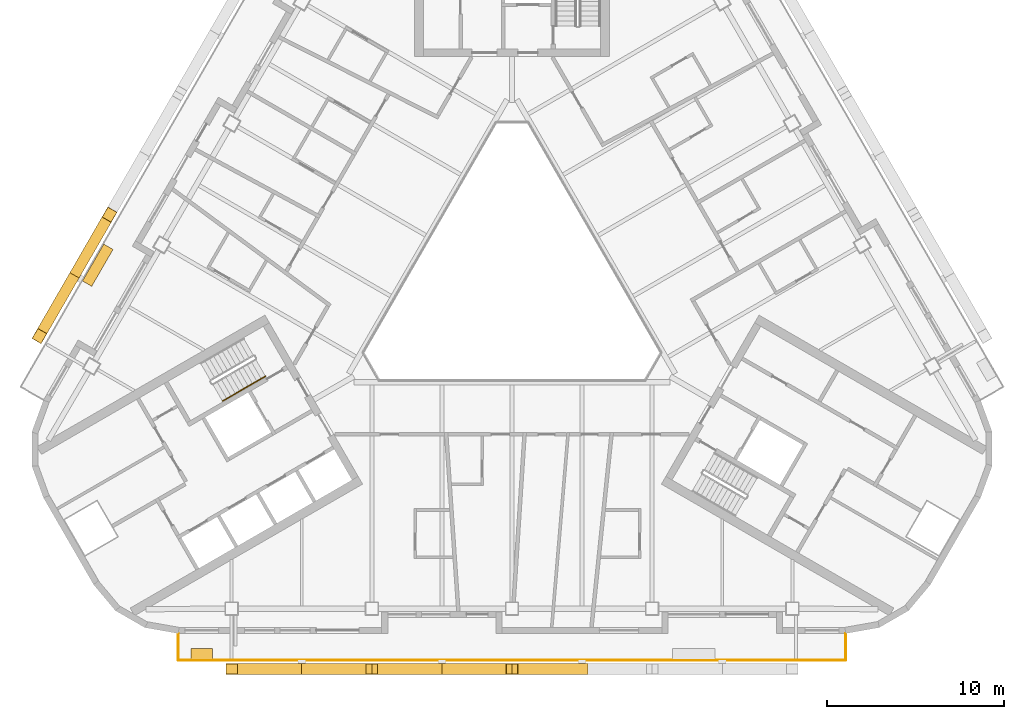
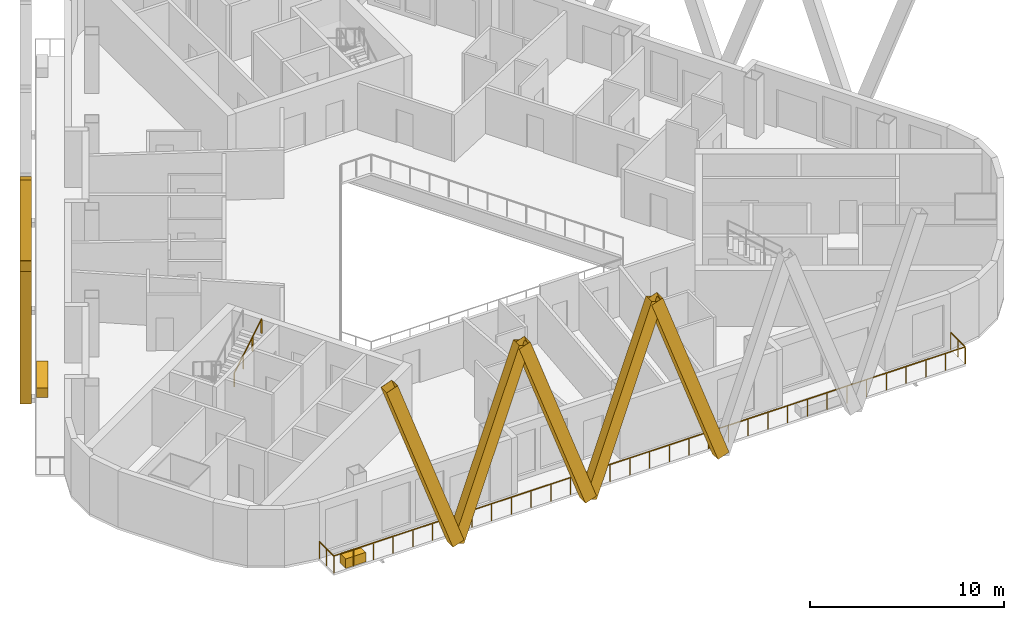
# One storey, part 9 of 14: 7 shading devices, 2 coverings, 2 railings.
"""IFC4 building model written with IfcOpenShell, lengths in metres."""

from ifc_helpers import new_model, si_unit, direction, frame, origin, origin_2d, place, context, subcontext, project, spatial, rectangle, hollow_rectangle, circle, extrude, material, material_profile, profile_set, type_object, element, save


model = new_model("IFC4")

# Units and contexts
model_context = context("Model", 3, precision=1e-05, world=origin(), true_north=direction((0.0, 1.0)))
body_context = subcontext(model_context, "Body", "Model", "MODEL_VIEW")
ifc_project = project(units=[si_unit("LENGTHUNIT", "METRE"), si_unit("AREAUNIT", "SQUARE_METRE"), si_unit("VOLUMEUNIT", "CUBIC_METRE"), si_unit("PLANEANGLEUNIT", "RADIAN"), si_unit("MASSUNIT", "GRAM", prefix="KILO")], contexts=[model_context])

# Site, building, storey
site_placement = place(None, origin())
site = spatial("IfcSite", under=ifc_project, at=site_placement, CompositionType="ELEMENT")
building_placement = place(site_placement, origin())
building = spatial("IfcBuilding", under=site, at=building_placement, Name="Apuvela Tower Hotel", CompositionType="ELEMENT")
storey_placement = place(building_placement, frame((0.0, 0.0, 202.10009765625)))
storey = spatial("IfcBuildingStorey", under=building, at=storey_placement, Name="L49", CompositionType="ELEMENT", Elevation=202.10009765625)

# Railing
ifc_material_1 = material(Name="Stainless steel 316 handrail", Category="steel")
railing_type_1 = type_object("IfcRailingType", Name="COR-HANDRAIL-900", PredefinedType="HANDRAIL", material=ifc_material_1)
railing_1_placement = place(storey_placement, frame((-16.31884765625, -6.534912109375, 2.01806640625)))
element("IfcRailing", 1, at=railing_1_placement, inside=storey, type_object=railing_type_1, Name="L49 ST2 stair handrail 2", PredefinedType="HANDRAIL", context=body_context, shape_type="SweptSolid", body=[
    extrude(circle(Radius=0.02392578125, at=origin_2d()), frame((0.0, 0.0, 0.8759765625), z_axis=(0.742390482028, 0.42860119049, 0.514934356695), x_axis=(-0.49998411664, 0.866034573852, 0.0)), (0.0, 0.0, 1.0), 3.26611328125),
    extrude(rectangle(XDim=0.0419921875, YDim=0.0419921875, at=origin_2d()), origin(), (0.0, 0.0, 1.0), 0.851806640625),
    extrude(rectangle(XDim=0.0419921875, YDim=0.0419921875, at=origin_2d()), frame((0.808349609375, 0.466552734375, 0.560546875)), (0.0, 0.0, 1.0), 0.851806640625),
    extrude(rectangle(XDim=0.0419921875, YDim=0.0419921875, at=origin_2d()), frame((1.616455078125, 0.933349609375, 1.121337890625)), (0.0, 0.0, 1.0), 0.851806640625),
    extrude(rectangle(XDim=0.0419921875, YDim=0.0419921875, at=origin_2d()), frame((2.4248046875, 1.39990234375, 1.681884765625)), (0.0, 0.0, 1.0), 0.851806640625),
])

# Shading devices
ifc_material_2 = material(Name="Aluminium 6063-T6, black anodised", Category="aluminium")
ifc_material_profile = material_profile(ifc_material_2, hollow_rectangle(XDim=0.60009765625, YDim=0.699951171875, WallThickness=0.011962890625, at=origin_2d()), Name="AL BOX 700x600x12")
ifc_profile_set = profile_set([ifc_material_profile], Name="Aluminium 6063-T6, black anodised")
shading_device_type = type_object("IfcShadingDeviceType", Name="ENV-FIN-700x600", PredefinedType="USERDEFINED", material=ifc_profile_set)
for number, where, z_axis, x_axis, name in (
    (2, (-11.85009765625, -21.6298828125, -0.10009765625), (-0.335254527156, 0.0, 0.942127593281), (0.0, -1.0, 0.0), "Lattice fin S441"),
    (3, (-11.85009765625, -21.6298828125, -0.10009765625), (0.335272919535, 0.0, 0.942121048181), (0.0, 1.0, 0.0), "Lattice fin S442"),
    (4, (-3.949951171875, -21.6298828125, -0.10009765625), (-0.335254527156, 0.0, 0.942127593281), (0.0, -1.0, 0.0), "Lattice fin S443"),
    (5, (-3.949951171875, -21.6298828125, -0.10009765625), (0.335254527156, 0.0, 0.942127593281), (0.0, 1.0, 0.0), "Lattice fin S444"),
    (6, (3.949951171875, -21.6298828125, -0.10009765625), (-0.335254527156, 0.0, 0.942127593281), (0.0, -1.0, 0.0), "Lattice fin S445"),
    (7, (-24.656982421875, 0.552490234375, -0.10009765625), (0.167616614035, 0.290350351818, 0.942125970292), (-0.866047669374, 0.499961432884, 0.0), "Lattice fin NW511"),
    (8, (-24.656982421875, 0.552490234375, -0.10009765625), (-0.167637761855, -0.290330368522, 0.942128365943), (0.866005453737, -0.500034552904, 0.0), "Lattice fin NW512"),
):
    element("IfcShadingDevice", number, at=place(storey_placement, frame(where, z_axis=z_axis, x_axis=x_axis)), inside=storey, type_object=shading_device_type, Name=name, ObjectType="FIN", PredefinedType="USERDEFINED", context=body_context, shape_type="SweptSolid", body=[
        extrude(hollow_rectangle(XDim=0.60009765625, YDim=0.699951171875, WallThickness=0.011962890625, at=origin_2d()), origin(), (0.0, 0.0, 1.0), 11.781982421875),
    ])

# Railing
ifc_material_3 = material(Name="Stainless steel 316 rail with laminated glass infill", Category="steel")
railing_type_2 = type_object("IfcRailingType", Name="ENV-GUARD-1100", PredefinedType="GUARDRAIL", material=ifc_material_3)
railing_2_placement = place(storey_placement, frame((-18.81591796875, -19.6298828125, 0.0)))
element("IfcRailing", 9, at=railing_2_placement, inside=storey, type_object=railing_type_2, Name="Balcony guard S L49", PredefinedType="GUARDRAIL", context=body_context, shape_type="SweptSolid", body=[
    extrude(rectangle(XDim=0.050048828125, YDim=0.050048828125, at=origin_2d()), frame((0.0, 0.0, 1.0751953125), z_axis=(0.0, -1.0, 0.0), x_axis=(1.0, 0.0, 0.0)), (0.0, 0.0, 1.0), 1.5),
    extrude(rectangle(XDim=0.050048828125, YDim=0.050048828125, at=origin_2d()), frame((0.0, -1.5, 1.0751953125), z_axis=(1.0, 0.0, 0.0), x_axis=(0.0, 1.0, 0.0)), (0.0, 0.0, 1.0), 37.6318359375),
    extrude(rectangle(XDim=0.050048828125, YDim=0.050048828125, at=origin_2d()), frame((37.6318359375, -1.5, 1.0751953125), z_axis=(0.0, 1.0, 0.0), x_axis=(-1.0, 0.0, 0.0)), (0.0, 0.0, 1.0), 1.5),
    extrude(rectangle(XDim=0.0400390625, YDim=0.0400390625, at=origin_2d()), origin(), (0.0, 0.0, 1.0), 1.050048828125),
    extrude(rectangle(XDim=0.0400390625, YDim=0.0400390625, at=origin_2d()), frame((0.0, -0.75, 0.0)), (0.0, 0.0, 1.0), 1.050048828125),
    extrude(rectangle(XDim=0.0400390625, YDim=0.0400390625, at=origin_2d()), frame((0.0, -1.5, 0.0)), (0.0, 0.0, 1.0), 1.050048828125),
    extrude(rectangle(XDim=0.0400390625, YDim=0.0400390625, at=origin_2d()), frame((1.176025390625, -1.5, 0.0)), (0.0, 0.0, 1.0), 1.050048828125),
    extrude(rectangle(XDim=0.0400390625, YDim=0.0400390625, at=origin_2d()), frame((2.35205078125, -1.5, 0.0)), (0.0, 0.0, 1.0), 1.050048828125),
    extrude(rectangle(XDim=0.0400390625, YDim=0.0400390625, at=origin_2d()), frame((3.528076171875, -1.5, 0.0)), (0.0, 0.0, 1.0), 1.050048828125),
    extrude(rectangle(XDim=0.0400390625, YDim=0.0400390625, at=origin_2d()), frame((4.7041015625, -1.5, 0.0)), (0.0, 0.0, 1.0), 1.050048828125),
    extrude(rectangle(XDim=0.0400390625, YDim=0.0400390625, at=origin_2d()), frame((5.8798828125, -1.5, 0.0)), (0.0, 0.0, 1.0), 1.050048828125),
    extrude(rectangle(XDim=0.0400390625, YDim=0.0400390625, at=origin_2d()), frame((7.055908203125, -1.5, 0.0)), (0.0, 0.0, 1.0), 1.050048828125),
    extrude(rectangle(XDim=0.0400390625, YDim=0.0400390625, at=origin_2d()), frame((8.23193359375, -1.5, 0.0)), (0.0, 0.0, 1.0), 1.050048828125),
    extrude(rectangle(XDim=0.0400390625, YDim=0.0400390625, at=origin_2d()), frame((9.407958984375, -1.5, 0.0)), (0.0, 0.0, 1.0), 1.050048828125),
    extrude(rectangle(XDim=0.0400390625, YDim=0.0400390625, at=origin_2d()), frame((10.583984375, -1.5, 0.0)), (0.0, 0.0, 1.0), 1.050048828125),
    extrude(rectangle(XDim=0.0400390625, YDim=0.0400390625, at=origin_2d()), frame((11.760009765625, -1.5, 0.0)), (0.0, 0.0, 1.0), 1.050048828125),
    extrude(rectangle(XDim=0.0400390625, YDim=0.0400390625, at=origin_2d()), frame((12.93603515625, -1.5, 0.0)), (0.0, 0.0, 1.0), 1.050048828125),
    extrude(rectangle(XDim=0.0400390625, YDim=0.0400390625, at=origin_2d()), frame((14.11181640625, -1.5, 0.0)), (0.0, 0.0, 1.0), 1.050048828125),
    extrude(rectangle(XDim=0.0400390625, YDim=0.0400390625, at=origin_2d()), frame((15.287841796875, -1.5, 0.0)), (0.0, 0.0, 1.0), 1.050048828125),
    extrude(rectangle(XDim=0.0400390625, YDim=0.0400390625, at=origin_2d()), frame((16.4638671875, -1.5, 0.0)), (0.0, 0.0, 1.0), 1.050048828125),
    extrude(rectangle(XDim=0.0400390625, YDim=0.0400390625, at=origin_2d()), frame((17.639892578125, -1.5, 0.0)), (0.0, 0.0, 1.0), 1.050048828125),
    extrude(rectangle(XDim=0.0400390625, YDim=0.0400390625, at=origin_2d()), frame((18.81591796875, -1.5, 0.0)), (0.0, 0.0, 1.0), 1.050048828125),
    extrude(rectangle(XDim=0.0400390625, YDim=0.0400390625, at=origin_2d()), frame((19.991943359375, -1.5, 0.0)), (0.0, 0.0, 1.0), 1.050048828125),
    extrude(rectangle(XDim=0.0400390625, YDim=0.0400390625, at=origin_2d()), frame((21.16796875, -1.5, 0.0)), (0.0, 0.0, 1.0), 1.050048828125),
    extrude(rectangle(XDim=0.0400390625, YDim=0.0400390625, at=origin_2d()), frame((22.343994140625, -1.5, 0.0)), (0.0, 0.0, 1.0), 1.050048828125),
    extrude(rectangle(XDim=0.0400390625, YDim=0.0400390625, at=origin_2d()), frame((23.52001953125, -1.5, 0.0)), (0.0, 0.0, 1.0), 1.050048828125),
    extrude(rectangle(XDim=0.0400390625, YDim=0.0400390625, at=origin_2d()), frame((24.69580078125, -1.5, 0.0)), (0.0, 0.0, 1.0), 1.050048828125),
    extrude(rectangle(XDim=0.0400390625, YDim=0.0400390625, at=origin_2d()), frame((25.871826171875, -1.5, 0.0)), (0.0, 0.0, 1.0), 1.050048828125),
    extrude(rectangle(XDim=0.0400390625, YDim=0.0400390625, at=origin_2d()), frame((27.0478515625, -1.5, 0.0)), (0.0, 0.0, 1.0), 1.050048828125),
    extrude(rectangle(XDim=0.0400390625, YDim=0.0400390625, at=origin_2d()), frame((28.223876953125, -1.5, 0.0)), (0.0, 0.0, 1.0), 1.050048828125),
    extrude(rectangle(XDim=0.0400390625, YDim=0.0400390625, at=origin_2d()), frame((29.39990234375, -1.5, 0.0)), (0.0, 0.0, 1.0), 1.050048828125),
    extrude(rectangle(XDim=0.0400390625, YDim=0.0400390625, at=origin_2d()), frame((30.575927734375, -1.5, 0.0)), (0.0, 0.0, 1.0), 1.050048828125),
    extrude(rectangle(XDim=0.0400390625, YDim=0.0400390625, at=origin_2d()), frame((31.751953125, -1.5, 0.0)), (0.0, 0.0, 1.0), 1.050048828125),
    extrude(rectangle(XDim=0.0400390625, YDim=0.0400390625, at=origin_2d()), frame((32.927734375, -1.5, 0.0)), (0.0, 0.0, 1.0), 1.050048828125),
    extrude(rectangle(XDim=0.0400390625, YDim=0.0400390625, at=origin_2d()), frame((34.103759765625, -1.5, 0.0)), (0.0, 0.0, 1.0), 1.050048828125),
    extrude(rectangle(XDim=0.0400390625, YDim=0.0400390625, at=origin_2d()), frame((35.27978515625, -1.5, 0.0)), (0.0, 0.0, 1.0), 1.050048828125),
    extrude(rectangle(XDim=0.0400390625, YDim=0.0400390625, at=origin_2d()), frame((36.455810546875, -1.5, 0.0)), (0.0, 0.0, 1.0), 1.050048828125),
    extrude(rectangle(XDim=0.0400390625, YDim=0.0400390625, at=origin_2d()), frame((37.6318359375, -1.5, 0.0)), (0.0, 0.0, 1.0), 1.050048828125),
    extrude(rectangle(XDim=0.0400390625, YDim=0.0400390625, at=origin_2d()), frame((37.6318359375, -0.75, 0.0)), (0.0, 0.0, 1.0), 1.050048828125),
    extrude(rectangle(XDim=0.0400390625, YDim=0.0400390625, at=origin_2d()), frame((37.6318359375, 0.0, 0.0)), (0.0, 0.0, 1.0), 1.050048828125),
])

# Coverings
ifc_material_4 = material(Name="Planting substrate and soil, planted")
covering_type_1 = type_object("IfcCoveringType", Name="ENV-PLANTER-1200x600", PredefinedType="USERDEFINED", material=ifc_material_4)
covering_1_placement = place(storey_placement, frame((-17.485107421875, -20.780029296875, -0.000244140625), z_axis=(0.0, 0.0, 1.0), x_axis=(1.0, 0.0, 0.0)))
element("IfcCovering", 10, at=covering_1_placement, inside=storey, type_object=covering_type_1, Name="Planter S1", ObjectType="PLANTER", PredefinedType="USERDEFINED", context=body_context, shape_type="SweptSolid", body=[
    extrude(rectangle(XDim=1.199951171875, YDim=0.60009765625, at=origin_2d()), origin(), (0.0, 0.0, 1.0), 0.60009765625),
])
covering_type_2 = type_object("IfcCoveringType", Name="ENV-PLANTER-2400x600", PredefinedType="USERDEFINED", material=ifc_material_4)
covering_2_placement = place(storey_placement, frame((-23.345947265625, 1.12353515625, -0.000244140625), z_axis=(0.0, 0.0, 1.0), x_axis=(-0.5, -0.866025403784, 0.0)))
element("IfcCovering", 11, at=covering_2_placement, inside=storey, type_object=covering_type_2, Name="Planter NW5", ObjectType="PLANTER", PredefinedType="USERDEFINED", context=body_context, shape_type="SweptSolid", body=[
    extrude(rectangle(XDim=2.39990234375, YDim=0.60009765625, at=origin_2d()), origin(), (0.0, 0.0, 1.0), 0.60009765625),
])

save(model, "model.ifc")
